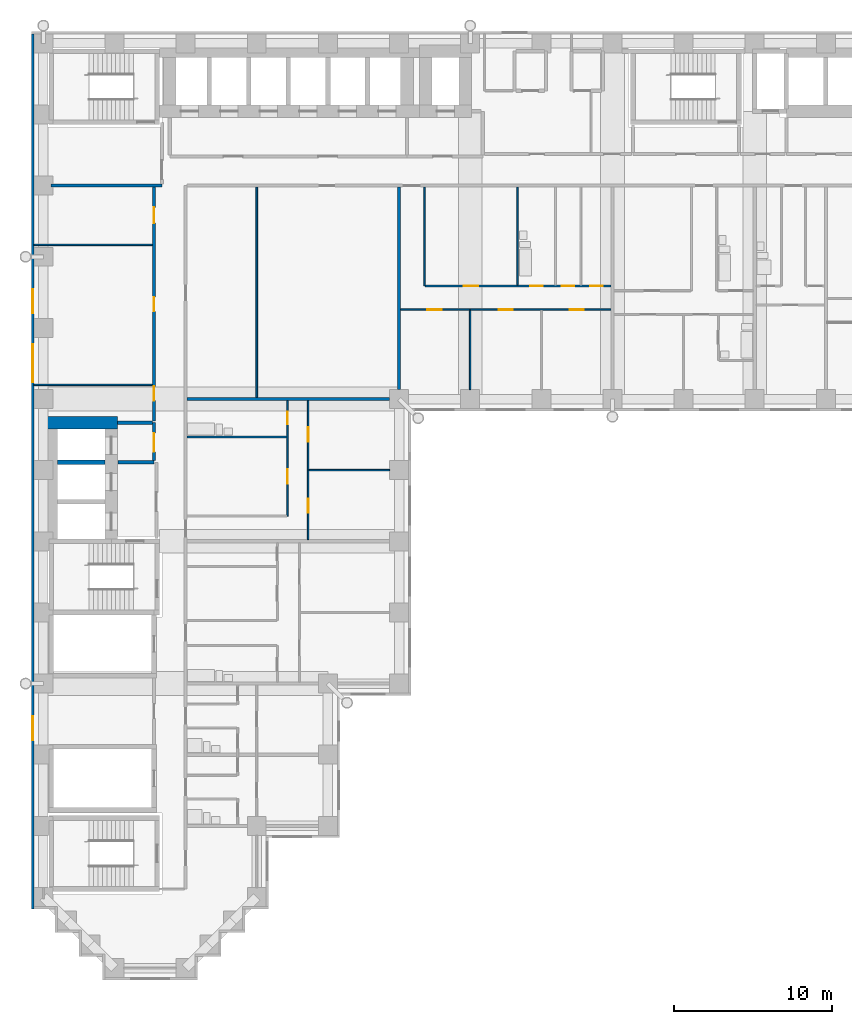
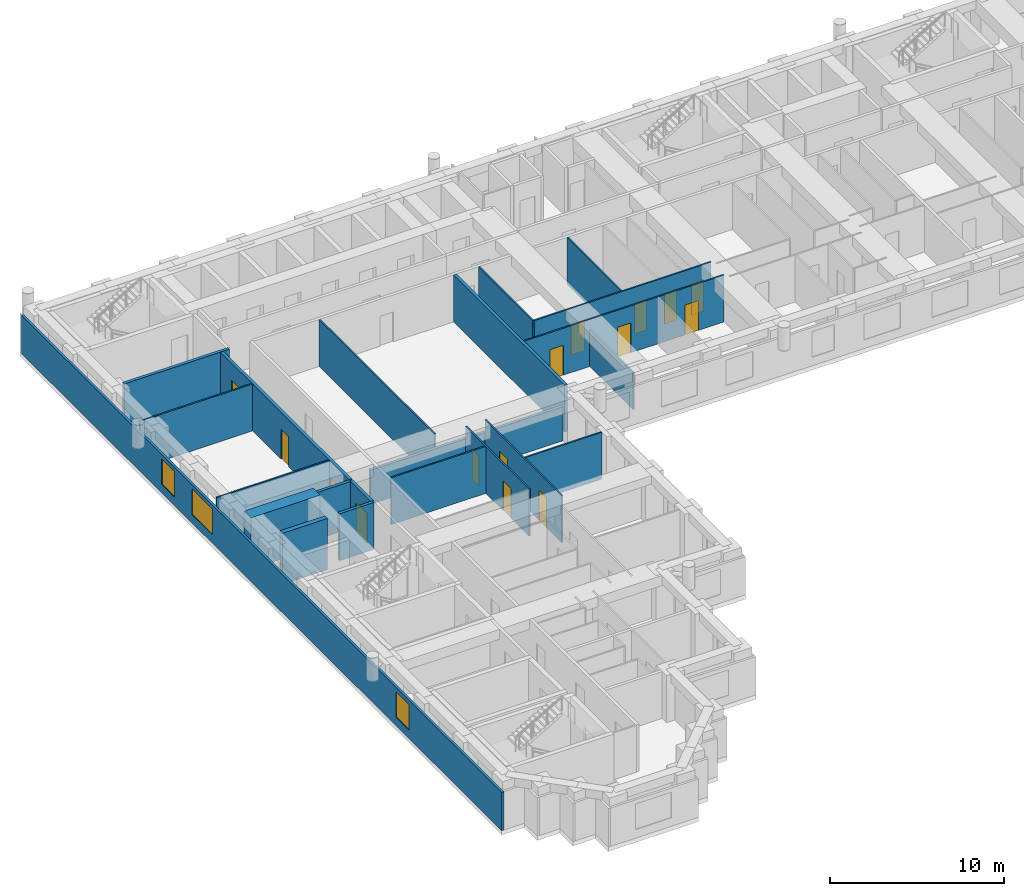
# One storey, part 6 of 14: 22 walls, 15 doors, 3 windows, 18 openings.
"""IFC4 building model written with IfcOpenShell, lengths in metres."""

from ifc_helpers import new_model, si_unit, direction, frame, frame_2d, origin, place, context, subcontext, project, spatial, rectangle, extrude, material, layer, layer_set, type_object, element, fill, save


model = new_model("IFC4")

# Units and contexts
model_context = context("Model", 3, precision=1e-05, world=origin(), true_north=direction((0.0, 1.0)))
body_context = subcontext(model_context, "Body", "Model", "MODEL_VIEW")
ifc_project = project(units=[si_unit("LENGTHUNIT", "METRE"), si_unit("AREAUNIT", "SQUARE_METRE"), si_unit("VOLUMEUNIT", "CUBIC_METRE"), si_unit("PLANEANGLEUNIT", "RADIAN"), si_unit("MASSUNIT", "GRAM", prefix="KILO")], contexts=[model_context])

# Site, building, storey
site_placement = place(None, origin())
site = spatial("IfcSite", under=ifc_project, at=site_placement, CompositionType="ELEMENT")
building_placement = place(site_placement, origin())
building = spatial("IfcBuilding", under=site, at=building_placement, Name="Firuza Court", CompositionType="ELEMENT")
storey_placement = place(building_placement, frame((0.0, 0.0, 68.60009765625)))
storey = spatial("IfcBuildingStorey", under=building, at=storey_placement, Name="L16", CompositionType="ELEMENT", Elevation=68.60009765625)

# Walls
ifc_material_1 = material(Name="Moisture-resistant gypsum board partition")
ifc_layer_1 = layer(ifc_material_1, 0.10009765625)
ifc_layer_set_1 = layer_set([ifc_layer_1], Name="Moisture-resistant gypsum board partition")
wall_type_1 = type_object("IfcWallType", Name="Bathroom partition 100", PredefinedType="PLUMBINGWALL", material=ifc_layer_set_1)
wall_1_placement = place(storey_placement, frame((9.10009765625, 33.60009765625, 0.0), z_axis=(0.0, 0.0, 1.0), x_axis=(1.0, 0.0, 0.0)))
element("IfcWall", 1, at=wall_1_placement, inside=storey, type_object=wall_type_1, Name="Bathroom partition 100 L16", PredefinedType="PLUMBINGWALL", context=body_context, shape_type="SweptSolid", body=[
    extrude(rectangle(XDim=6.2998046875, YDim=0.10009765625, at=frame_2d((3.14990234375, 0.0))), origin(), (0.0, 0.0, 1.0), 3.2998046875),
])
wall_2_placement = place(storey_placement, frame((30.0, 43.199951171875, 0.0), z_axis=(0.0, 0.0, 1.0), x_axis=(0.0, 1.0, 0.0)))
element("IfcWall", 2, at=wall_2_placement, inside=storey, type_object=wall_type_1, Name="Bathroom partition 100 L16", PredefinedType="PLUMBINGWALL", context=body_context, shape_type="SweptSolid", body=[
    extrude(rectangle(XDim=6.199951171875, YDim=0.10009765625, at=frame_2d((3.10009765625, 0.0))), origin(), (0.0, 0.0, 1.0), 3.2998046875),
])
ifc_material_2 = material(Name="Concrete C60/75", Category="concrete")
ifc_layer_2 = layer(ifc_material_2, 0.300048828125)
ifc_layer_set_2 = layer_set([ifc_layer_2], Name="Concrete C60/75")
wall_type_2 = type_object("IfcWallType", Name="Core wall 300 C60/75", PredefinedType="SHEAR", material=ifc_layer_set_2)
wall_3_placement = place(storey_placement, frame((0.89990234375, 32.0, -0.300048828125), z_axis=(0.0, 0.0, 1.0), x_axis=(1.0, 0.0, 0.0)))
element("IfcWall", 3, at=wall_3_placement, inside=storey, type_object=wall_type_2, Name="Core wall lift shaft L16", PredefinedType="SHEAR", context=body_context, shape_type="SweptSolid", body=[
    extrude(rectangle(XDim=3.0, YDim=0.300048828125, at=frame_2d((1.5, 0.0))), origin(), (0.0, 0.0, 1.0), 3.599853515625),
])
ifc_layer_3 = layer(ifc_material_2, 0.800048828125)
ifc_layer_set_3 = layer_set([ifc_layer_3], Name="Concrete C60/75")
wall_type_3 = type_object("IfcWallType", Name="Core wall 800 C60/75", PredefinedType="SHEAR", material=ifc_layer_set_3)
wall_4_placement = place(storey_placement, frame((0.10009765625, 34.5, -0.300048828125), z_axis=(0.0, 0.0, 1.0), x_axis=(1.0, 0.0, 0.0)))
element("IfcWall", 4, at=wall_4_placement, inside=storey, type_object=wall_type_3, Name="Core wall lift shaft L16", PredefinedType="SHEAR", context=body_context, shape_type="SweptSolid", body=[
    extrude(rectangle(XDim=4.599853515625, YDim=0.800048828125, at=frame_2d((2.2998046875, 0.0))), origin(), (0.0, 0.0, 1.0), 3.599853515625),
])

# Wall, openings, doors
ifc_material_3 = material(Name="Blockwork, plastered both sides", Category="masonry")
ifc_layer_4 = layer(ifc_material_3, 0.199951171875)
ifc_layer_set_4 = layer_set([ifc_layer_4], Name="Blockwork, plastered both sides")
wall_type_4 = type_object("IfcWallType", Name="Corridor wall 200", PredefinedType="PARTITIONING", material=ifc_layer_set_4)
wall_5_placement = place(storey_placement, frame((7.0, 34.60009765625, 0.0), z_axis=(0.0, 0.0, 1.0), x_axis=(0.0, 1.0, 0.0)))
wall_5 = element("IfcWall", 5, at=wall_5_placement, inside=storey, type_object=wall_type_4, Name="Corridor wall 200 L16", PredefinedType="PARTITIONING", context=body_context, shape_type="SweptSolid", body=[
    extrude(rectangle(XDim=14.7998046875, YDim=0.199951171875, at=frame_2d((7.39990234375, 0.0))), origin(), (0.0, 0.0, 1.0), 3.2998046875),
])
opening_1_placement = place(wall_5_placement, frame((1.300048828125, 0.0, 0.0)))
opening_1 = element("IfcOpeningElement", 6, at=opening_1_placement, cuts=wall_5, Name="Opening D16041", PredefinedType="OPENING", context=body_context, shape_type="SweptSolid", body=[
    extrude(rectangle(XDim=0.89990234375, YDim=2.10009765625, at=frame_2d((0.449951171875, 1.050048828125))), frame((0.0, 0.11181640625, 0.0), z_axis=(0.0, -1.0, 0.0), x_axis=(1.0, 0.0, 0.0)), (0.0, 0.0, 1.0), 0.223876953125),
])
opening_2_placement = place(wall_5_placement, frame((6.949951171875, 0.0, 0.0)))
opening_2 = element("IfcOpeningElement", 7, at=opening_2_placement, cuts=wall_5, Name="Opening D16042", PredefinedType="OPENING", context=body_context, shape_type="SweptSolid", body=[
    extrude(rectangle(XDim=0.89990234375, YDim=2.10009765625, at=frame_2d((0.449951171875, 1.050048828125))), frame((0.0, 0.11181640625, 0.0), z_axis=(0.0, -1.0, 0.0), x_axis=(1.0, 0.0, 0.0)), (0.0, 0.0, 1.0), 0.223876953125),
])
opening_3_placement = place(wall_5_placement, frame((12.52490234375, 0.0, 0.0)))
opening_3 = element("IfcOpeningElement", 8, at=opening_3_placement, cuts=wall_5, Name="Opening D16043", PredefinedType="OPENING", context=body_context, shape_type="SweptSolid", body=[
    extrude(rectangle(XDim=1.0, YDim=2.10009765625, at=frame_2d((0.5, 1.050048828125))), frame((0.0, 0.11181640625, 0.0), z_axis=(0.0, -1.0, 0.0), x_axis=(1.0, 0.0, 0.0)), (0.0, 0.0, 1.0), 0.223876953125),
])
ifc_material_4 = material(Name="Timber door leaf in hardwood frame", Category="wood")
door_type_1 = type_object("IfcDoorType", Name="Room door 900 EI 30", OperationType="SINGLE_SWING_LEFT", PredefinedType="DOOR", material=ifc_material_4)
door_1_placement = place(opening_1_placement, origin())
door_1 = element("IfcDoor", 9, at=door_1_placement, inside=storey, type_object=door_type_1, Name="Meeting room door", OperationType="SINGLE_SWING_LEFT", OverallHeight=2.10009765625, OverallWidth=0.89990234375, PredefinedType="DOOR", context=body_context, shape_type="SweptSolid", body=[
    extrude(rectangle(XDim=0.89990234375, YDim=2.10009765625, at=frame_2d((0.449951171875, 1.050048828125))), frame((0.0, 0.02490234375, 0.0), z_axis=(0.0, -1.0, 0.0), x_axis=(1.0, 0.0, 0.0)), (0.0, 0.0, 1.0), 0.050048828125),
])
fill(opening_1, door_1)
door_2_placement = place(opening_2_placement, origin())
door_2 = element("IfcDoor", 10, at=door_2_placement, inside=storey, type_object=door_type_1, Name="Meeting room door", OperationType="SINGLE_SWING_LEFT", OverallHeight=2.10009765625, OverallWidth=0.89990234375, PredefinedType="DOOR", context=body_context, shape_type="SweptSolid", body=[
    extrude(rectangle(XDim=0.89990234375, YDim=2.10009765625, at=frame_2d((0.449951171875, 1.050048828125))), frame((0.0, 0.02490234375, 0.0), z_axis=(0.0, -1.0, 0.0), x_axis=(1.0, 0.0, 0.0)), (0.0, 0.0, 1.0), 0.050048828125),
])
fill(opening_2, door_2)
ifc_material_5 = material(Name="Timber door leaf in hardwood frame", Category="wood")
door_type_2 = type_object("IfcDoorType", Name="Store door 1000", OperationType="SINGLE_SWING_LEFT", PredefinedType="DOOR", material=ifc_material_5)
door_3_placement = place(opening_3_placement, origin())
door_3 = element("IfcDoor", 11, at=door_3_placement, inside=storey, type_object=door_type_2, Name="Comms room door", OperationType="SINGLE_SWING_LEFT", OverallHeight=2.10009765625, OverallWidth=1.0, PredefinedType="DOOR", context=body_context, shape_type="SweptSolid", body=[
    extrude(rectangle(XDim=1.0, YDim=2.10009765625, at=frame_2d((0.5, 1.050048828125))), frame((0.0, 0.02490234375, 0.0), z_axis=(0.0, -1.0, 0.0), x_axis=(1.0, 0.0, 0.0)), (0.0, 0.0, 1.0), 0.050048828125),
])
fill(opening_3, door_3)

ifc_material_6 = material(Name="Timber stud partition, plasterboard both sides", Category="wood")
ifc_layer_5 = layer(ifc_material_6, 0.10009765625)
ifc_layer_set_5 = layer_set([ifc_layer_5], Name="Timber stud partition, plasterboard both sides")
wall_type_5 = type_object("IfcWallType", Name="Partition wall 100", PredefinedType="PARTITIONING", material=ifc_layer_set_5)
wall_6_placement = place(storey_placement, frame((16.75, 27.10009765625, 0.0), z_axis=(0.0, 0.0, 1.0), x_axis=(0.0, 1.0, 0.0)))
wall_6 = element("IfcWall", 12, at=wall_6_placement, inside=storey, type_object=wall_type_5, Name="Partition wall 100 L16", PredefinedType="PARTITIONING", context=body_context, shape_type="SweptSolid", body=[
    extrude(rectangle(XDim=8.7998046875, YDim=0.10009765625, at=frame_2d((4.39990234375, 0.0))), origin(), (0.0, 0.0, 1.0), 3.2998046875),
])
opening_4_placement = place(wall_6_placement, frame((1.699951171875, 0.0, 0.0)))
opening_4 = element("IfcOpeningElement", 13, at=opening_4_placement, cuts=wall_6, Name="Opening D16037", PredefinedType="OPENING", context=body_context, shape_type="SweptSolid", body=[
    extrude(rectangle(XDim=0.89990234375, YDim=2.10009765625, at=frame_2d((0.449951171875, 1.050048828125))), frame((0.0, 0.06201171875, 0.0), z_axis=(0.0, -1.0, 0.0), x_axis=(1.0, 0.0, 0.0)), (0.0, 0.0, 1.0), 0.1240234375),
])
opening_5_placement = place(wall_6_placement, frame((6.199951171875, 0.0, 0.0)))
opening_5 = element("IfcOpeningElement", 14, at=opening_5_placement, cuts=wall_6, Name="Opening D16038", PredefinedType="OPENING", context=body_context, shape_type="SweptSolid", body=[
    extrude(rectangle(XDim=0.89990234375, YDim=2.10009765625, at=frame_2d((0.449951171875, 1.050048828125))), frame((0.0, 0.06201171875, 0.0), z_axis=(0.0, -1.0, 0.0), x_axis=(1.0, 0.0, 0.0)), (0.0, 0.0, 1.0), 0.1240234375),
])
ifc_material_7 = material(Name="Timber door leaf in hardwood frame", Category="wood")
door_type_3 = type_object("IfcDoorType", Name="Room door 900", OperationType="SINGLE_SWING_LEFT", PredefinedType="DOOR", material=ifc_material_7)
door_4_placement = place(opening_4_placement, frame((0.89990234375, 0.0, 0.0), z_axis=(0.0, 0.0, 1.0), x_axis=(-1.0, 0.0, 0.0)))
door_4 = element("IfcDoor", 15, at=door_4_placement, inside=storey, type_object=door_type_3, Name="Bedroom door", OperationType="SINGLE_SWING_RIGHT", OverallHeight=2.10009765625, OverallWidth=0.89990234375, PredefinedType="DOOR", context=body_context, shape_type="SweptSolid", body=[
    extrude(rectangle(XDim=0.89990234375, YDim=2.10009765625, at=frame_2d((0.449951171875, 1.050048828125))), frame((0.0, 0.02490234375, 0.0), z_axis=(0.0, -1.0, 0.0), x_axis=(1.0, 0.0, 0.0)), (0.0, 0.0, 1.0), 0.050048828125),
])
fill(opening_4, door_4)
door_5_placement = place(opening_5_placement, frame((0.89990234375, 0.0, 0.0), z_axis=(0.0, 0.0, 1.0), x_axis=(-1.0, 0.0, 0.0)))
door_5 = element("IfcDoor", 16, at=door_5_placement, inside=storey, type_object=door_type_3, Name="Living room door", OperationType="SINGLE_SWING_RIGHT", OverallHeight=2.10009765625, OverallWidth=0.89990234375, PredefinedType="DOOR", context=body_context, shape_type="SweptSolid", body=[
    extrude(rectangle(XDim=0.89990234375, YDim=2.10009765625, at=frame_2d((0.449951171875, 1.050048828125))), frame((0.0, 0.02490234375, 0.0), z_axis=(0.0, -1.0, 0.0), x_axis=(1.0, 0.0, 0.0)), (0.0, 0.0, 1.0), 0.050048828125),
])
fill(opening_5, door_5)

wall_7_placement = place(storey_placement, frame((15.449951171875, 28.60009765625, 0.0), z_axis=(0.0, 0.0, 1.0), x_axis=(0.0, 1.0, 0.0)))
wall_7 = element("IfcWall", 17, at=wall_7_placement, inside=storey, type_object=wall_type_5, Name="Partition wall 100 L16", PredefinedType="PARTITIONING", context=body_context, shape_type="SweptSolid", body=[
    extrude(rectangle(XDim=7.2998046875, YDim=0.10009765625, at=frame_2d((3.64990234375, 0.0))), origin(), (0.0, 0.0, 1.0), 3.2998046875),
])
opening_6_placement = place(wall_7_placement, frame((5.800048828125, 0.0, 0.0)))
opening_6 = element("IfcOpeningElement", 18, at=opening_6_placement, cuts=wall_7, Name="Opening D16039", PredefinedType="OPENING", context=body_context, shape_type="SweptSolid", body=[
    extrude(rectangle(XDim=0.800048828125, YDim=2.10009765625, at=frame_2d((0.39990234375, 1.050048828125))), frame((0.0, 0.06201171875, 0.0), z_axis=(0.0, -1.0, 0.0), x_axis=(1.0, 0.0, 0.0)), (0.0, 0.0, 1.0), 0.1240234375),
])
opening_7_placement = place(wall_7_placement, frame((2.050048828125, 0.0, 0.0)))
opening_7 = element("IfcOpeningElement", 19, at=opening_7_placement, cuts=wall_7, Name="Opening D16040", PredefinedType="OPENING", context=body_context, shape_type="SweptSolid", body=[
    extrude(rectangle(XDim=0.89990234375, YDim=2.10009765625, at=frame_2d((0.449951171875, 1.050048828125))), frame((0.0, 0.06201171875, 0.0), z_axis=(0.0, -1.0, 0.0), x_axis=(1.0, 0.0, 0.0)), (0.0, 0.0, 1.0), 0.1240234375),
])
ifc_material_8 = material(Name="Timber door leaf in hardwood frame", Category="wood")
door_type_4 = type_object("IfcDoorType", Name="Bathroom door 800", OperationType="SINGLE_SWING_LEFT", PredefinedType="DOOR", material=ifc_material_8)
door_6_placement = place(opening_6_placement, origin())
door_6 = element("IfcDoor", 20, at=door_6_placement, inside=storey, type_object=door_type_4, Name="Bathroom door", OperationType="SINGLE_SWING_LEFT", OverallHeight=2.10009765625, OverallWidth=0.800048828125, PredefinedType="DOOR", context=body_context, shape_type="SweptSolid", body=[
    extrude(rectangle(XDim=0.800048828125, YDim=2.10009765625, at=frame_2d((0.39990234375, 1.050048828125))), frame((0.0, 0.02490234375, 0.0), z_axis=(0.0, -1.0, 0.0), x_axis=(1.0, 0.0, 0.0)), (0.0, 0.0, 1.0), 0.050048828125),
])
fill(opening_6, door_6)
door_7_placement = place(opening_7_placement, origin())
door_7 = element("IfcDoor", 21, at=door_7_placement, inside=storey, type_object=door_type_3, Name="Kitchen door", OperationType="SINGLE_SWING_LEFT", OverallHeight=2.10009765625, OverallWidth=0.89990234375, PredefinedType="DOOR", context=body_context, shape_type="SweptSolid", body=[
    extrude(rectangle(XDim=0.89990234375, YDim=2.10009765625, at=frame_2d((0.449951171875, 1.050048828125))), frame((0.0, 0.02490234375, 0.0), z_axis=(0.0, -1.0, 0.0), x_axis=(1.0, 0.0, 0.0)), (0.0, 0.0, 1.0), 0.050048828125),
])
fill(opening_7, door_7)

# Walls
wall_8_placement = place(storey_placement, frame((16.800048828125, 31.5, 0.0), z_axis=(0.0, 0.0, 1.0), x_axis=(1.0, 0.0, 0.0)))
element("IfcWall", 22, at=wall_8_placement, inside=storey, type_object=wall_type_5, Name="Partition wall 100 L16", PredefinedType="PARTITIONING", context=body_context, shape_type="SweptSolid", body=[
    extrude(rectangle(XDim=5.099853515625, YDim=0.10009765625, at=frame_2d((2.5498046875, 0.0))), origin(), (0.0, 0.0, 1.0), 3.2998046875),
])
wall_9_placement = place(storey_placement, frame((13.5, 36.10009765625, 0.0), z_axis=(0.0, 0.0, 1.0), x_axis=(0.0, 1.0, 0.0)))
element("IfcWall", 23, at=wall_9_placement, inside=storey, type_object=wall_type_5, Name="Partition wall 100 L16", PredefinedType="PARTITIONING", context=body_context, shape_type="SweptSolid", body=[
    extrude(rectangle(XDim=13.2998046875, YDim=0.10009765625, at=frame_2d((6.64990234375, 0.0))), origin(), (0.0, 0.0, 1.0), 3.2998046875),
])
wall_10_placement = place(storey_placement, frame((27.0, 36.60009765625, 0.0), z_axis=(0.0, 0.0, 1.0), x_axis=(0.0, 1.0, 0.0)))
element("IfcWall", 24, at=wall_10_placement, inside=storey, type_object=wall_type_5, Name="Partition wall 100 L16", PredefinedType="PARTITIONING", context=body_context, shape_type="SweptSolid", body=[
    extrude(rectangle(XDim=5.0, YDim=0.10009765625, at=frame_2d((2.5, 0.0))), origin(), (0.0, 0.0, 1.0), 2.599853515625),
])
wall_11_placement = place(storey_placement, frame((-0.60009765625, 36.89990234375, 0.0), z_axis=(0.0, 0.0, 1.0), x_axis=(1.0, 0.0, 0.0)))
element("IfcWall", 25, at=wall_11_placement, inside=storey, type_object=wall_type_5, Name="Partition wall 100 L16", PredefinedType="PARTITIONING", context=body_context, shape_type="SweptSolid", body=[
    extrude(rectangle(XDim=7.5, YDim=0.10009765625, at=frame_2d((3.75, 0.0))), origin(), (0.0, 0.0, 1.0), 3.2998046875),
])

# Wall, openings, doors
wall_12_placement = place(storey_placement, frame((22.60009765625, 41.64990234375, 0.0), z_axis=(0.0, 0.0, 1.0), x_axis=(1.0, 0.0, 0.0)))
wall_12 = element("IfcWall", 26, at=wall_12_placement, inside=storey, type_object=wall_type_5, Name="Partition wall 100 L16", PredefinedType="PARTITIONING", context=body_context, shape_type="SweptSolid", body=[
    extrude(rectangle(XDim=13.2998046875, YDim=0.10009765625, at=frame_2d((6.64990234375, 0.0))), origin(), (0.0, 0.0, 1.0), 3.2998046875),
])
opening_8_placement = place(wall_12_placement, frame((1.699951171875, 0.0, 0.0)))
opening_8 = element("IfcOpeningElement", 27, at=opening_8_placement, cuts=wall_12, Name="Opening D16053", PredefinedType="OPENING", context=body_context, shape_type="SweptSolid", body=[
    extrude(rectangle(XDim=0.89990234375, YDim=2.10009765625, at=frame_2d((0.449951171875, 1.050048828125))), frame((0.0, 0.06201171875, 0.0), z_axis=(0.0, -1.0, 0.0), x_axis=(1.0, 0.0, 0.0)), (0.0, 0.0, 1.0), 0.1240234375),
])
opening_9_placement = place(wall_12_placement, frame((6.199951171875, 0.0, 0.0)))
opening_9 = element("IfcOpeningElement", 28, at=opening_9_placement, cuts=wall_12, Name="Opening D16054", PredefinedType="OPENING", context=body_context, shape_type="SweptSolid", body=[
    extrude(rectangle(XDim=0.89990234375, YDim=2.10009765625, at=frame_2d((0.449951171875, 1.050048828125))), frame((0.0, 0.06201171875, 0.0), z_axis=(0.0, -1.0, 0.0), x_axis=(1.0, 0.0, 0.0)), (0.0, 0.0, 1.0), 0.1240234375),
])
opening_10_placement = place(wall_12_placement, frame((10.699951171875, 0.0, 0.0)))
opening_10 = element("IfcOpeningElement", 29, at=opening_10_placement, cuts=wall_12, Name="Opening D16055", PredefinedType="OPENING", context=body_context, shape_type="SweptSolid", body=[
    extrude(rectangle(XDim=0.89990234375, YDim=2.10009765625, at=frame_2d((0.449951171875, 1.050048828125))), frame((0.0, 0.06201171875, 0.0), z_axis=(0.0, -1.0, 0.0), x_axis=(1.0, 0.0, 0.0)), (0.0, 0.0, 1.0), 0.1240234375),
])
door_8_placement = place(opening_8_placement, frame((0.89990234375, 0.0, 0.0), z_axis=(0.0, 0.0, 1.0), x_axis=(-1.0, 0.0, 0.0)))
door_8 = element("IfcDoor", 30, at=door_8_placement, inside=storey, type_object=door_type_3, Name="Living room door", OperationType="SINGLE_SWING_RIGHT", OverallHeight=2.10009765625, OverallWidth=0.89990234375, PredefinedType="DOOR", context=body_context, shape_type="SweptSolid", body=[
    extrude(rectangle(XDim=0.89990234375, YDim=2.10009765625, at=frame_2d((0.449951171875, 1.050048828125))), frame((0.0, 0.02490234375, 0.0), z_axis=(0.0, -1.0, 0.0), x_axis=(1.0, 0.0, 0.0)), (0.0, 0.0, 1.0), 0.050048828125),
])
fill(opening_8, door_8)
door_9_placement = place(opening_9_placement, frame((0.89990234375, 0.0, 0.0), z_axis=(0.0, 0.0, 1.0), x_axis=(-1.0, 0.0, 0.0)))
door_9 = element("IfcDoor", 31, at=door_9_placement, inside=storey, type_object=door_type_3, Name="Bedroom door", OperationType="SINGLE_SWING_RIGHT", OverallHeight=2.10009765625, OverallWidth=0.89990234375, PredefinedType="DOOR", context=body_context, shape_type="SweptSolid", body=[
    extrude(rectangle(XDim=0.89990234375, YDim=2.10009765625, at=frame_2d((0.449951171875, 1.050048828125))), frame((0.0, 0.02490234375, 0.0), z_axis=(0.0, -1.0, 0.0), x_axis=(1.0, 0.0, 0.0)), (0.0, 0.0, 1.0), 0.050048828125),
])
fill(opening_9, door_9)
door_10_placement = place(opening_10_placement, frame((0.89990234375, 0.0, 0.0), z_axis=(0.0, 0.0, 1.0), x_axis=(-1.0, 0.0, 0.0)))
door_10 = element("IfcDoor", 32, at=door_10_placement, inside=storey, type_object=door_type_3, Name="Bedroom door", OperationType="SINGLE_SWING_RIGHT", OverallHeight=2.10009765625, OverallWidth=0.89990234375, PredefinedType="DOOR", context=body_context, shape_type="SweptSolid", body=[
    extrude(rectangle(XDim=0.89990234375, YDim=2.10009765625, at=frame_2d((0.449951171875, 1.050048828125))), frame((0.0, 0.02490234375, 0.0), z_axis=(0.0, -1.0, 0.0), x_axis=(1.0, 0.0, 0.0)), (0.0, 0.0, 1.0), 0.050048828125),
])
fill(opening_10, door_10)

# Wall
wall_13_placement = place(storey_placement, frame((24.10009765625, 43.14990234375, 0.0), z_axis=(0.0, 0.0, 1.0), x_axis=(0.0, 1.0, 0.0)))
element("IfcWall", 33, at=wall_13_placement, inside=storey, type_object=wall_type_5, Name="Partition wall 100 L16", PredefinedType="PARTITIONING", context=body_context, shape_type="SweptSolid", body=[
    extrude(rectangle(XDim=6.25, YDim=0.10009765625, at=frame_2d((3.125, 0.0))), origin(), (0.0, 0.0, 1.0), 3.2998046875),
])

# Wall, openings, doors
wall_14_placement = place(storey_placement, frame((24.14990234375, 43.14990234375, 0.0), z_axis=(0.0, 0.0, 1.0), x_axis=(1.0, 0.0, 0.0)))
wall_14 = element("IfcWall", 34, at=wall_14_placement, inside=storey, type_object=wall_type_5, Name="Partition wall 100 L16", PredefinedType="PARTITIONING", context=body_context, shape_type="SweptSolid", body=[
    extrude(rectangle(XDim=11.75, YDim=0.10009765625, at=frame_2d((5.875, 0.0))), origin(), (0.0, 0.0, 1.0), 3.2998046875),
])
opening_11_placement = place(wall_14_placement, frame((6.64990234375, 0.0, 0.0)))
opening_11 = element("IfcOpeningElement", 35, at=opening_11_placement, cuts=wall_14, Name="Opening D16061", PredefinedType="OPENING", context=body_context, shape_type="SweptSolid", body=[
    extrude(rectangle(XDim=0.800048828125, YDim=2.10009765625, at=frame_2d((0.39990234375, 1.050048828125))), frame((0.0, 0.06201171875, 0.0), z_axis=(0.0, -1.0, 0.0), x_axis=(1.0, 0.0, 0.0)), (0.0, 0.0, 1.0), 0.1240234375),
])
opening_12_placement = place(wall_14_placement, frame((2.449951171875, 0.0, 0.0)))
opening_12 = element("IfcOpeningElement", 36, at=opening_12_placement, cuts=wall_14, Name="Opening D16062", PredefinedType="OPENING", context=body_context, shape_type="SweptSolid", body=[
    extrude(rectangle(XDim=0.89990234375, YDim=2.10009765625, at=frame_2d((0.449951171875, 1.050048828125))), frame((0.0, 0.06201171875, 0.0), z_axis=(0.0, -1.0, 0.0), x_axis=(1.0, 0.0, 0.0)), (0.0, 0.0, 1.0), 0.1240234375),
])
opening_13_placement = place(wall_14_placement, frame((8.64990234375, 0.0, 0.0)))
opening_13 = element("IfcOpeningElement", 37, at=opening_13_placement, cuts=wall_14, Name="Opening D16063", PredefinedType="OPENING", context=body_context, shape_type="SweptSolid", body=[
    extrude(rectangle(XDim=0.800048828125, YDim=2.10009765625, at=frame_2d((0.39990234375, 1.050048828125))), frame((0.0, 0.06201171875, 0.0), z_axis=(0.0, -1.0, 0.0), x_axis=(1.0, 0.0, 0.0)), (0.0, 0.0, 1.0), 0.1240234375),
])
opening_14_placement = place(wall_14_placement, frame((10.449951171875, 0.0, 0.0)))
opening_14 = element("IfcOpeningElement", 38, at=opening_14_placement, cuts=wall_14, Name="Opening D16064", PredefinedType="OPENING", context=body_context, shape_type="SweptSolid", body=[
    extrude(rectangle(XDim=0.800048828125, YDim=2.10009765625, at=frame_2d((0.39990234375, 1.050048828125))), frame((0.0, 0.06201171875, 0.0), z_axis=(0.0, -1.0, 0.0), x_axis=(1.0, 0.0, 0.0)), (0.0, 0.0, 1.0), 0.1240234375),
])
door_11_placement = place(opening_11_placement, origin())
door_11 = element("IfcDoor", 39, at=door_11_placement, inside=storey, type_object=door_type_4, Name="Bathroom door", OperationType="SINGLE_SWING_LEFT", OverallHeight=2.10009765625, OverallWidth=0.800048828125, PredefinedType="DOOR", context=body_context, shape_type="SweptSolid", body=[
    extrude(rectangle(XDim=0.800048828125, YDim=2.10009765625, at=frame_2d((0.39990234375, 1.050048828125))), frame((0.0, 0.02490234375, 0.0), z_axis=(0.0, -1.0, 0.0), x_axis=(1.0, 0.0, 0.0)), (0.0, 0.0, 1.0), 0.050048828125),
])
fill(opening_11, door_11)
ifc_material_9 = material(Name="Timber door leaf in hardwood frame", Category="wood")
door_type_5 = type_object("IfcDoorType", Name="Room door 800", OperationType="SINGLE_SWING_LEFT", PredefinedType="DOOR", material=ifc_material_9)
door_12_placement = place(opening_13_placement, origin())
door_12 = element("IfcDoor", 40, at=door_12_placement, inside=storey, type_object=door_type_5, Name="Store door", OperationType="SINGLE_SWING_LEFT", OverallHeight=2.10009765625, OverallWidth=0.800048828125, PredefinedType="DOOR", context=body_context, shape_type="SweptSolid", body=[
    extrude(rectangle(XDim=0.800048828125, YDim=2.10009765625, at=frame_2d((0.39990234375, 1.050048828125))), frame((0.0, 0.02490234375, 0.0), z_axis=(0.0, -1.0, 0.0), x_axis=(1.0, 0.0, 0.0)), (0.0, 0.0, 1.0), 0.050048828125),
])
fill(opening_13, door_12)
door_13_placement = place(opening_14_placement, origin())
door_13 = element("IfcDoor", 41, at=door_13_placement, inside=storey, type_object=door_type_5, Name="Utility room door", OperationType="SINGLE_SWING_LEFT", OverallHeight=2.10009765625, OverallWidth=0.800048828125, PredefinedType="DOOR", context=body_context, shape_type="SweptSolid", body=[
    extrude(rectangle(XDim=0.800048828125, YDim=2.10009765625, at=frame_2d((0.39990234375, 1.050048828125))), frame((0.0, 0.02490234375, 0.0), z_axis=(0.0, -1.0, 0.0), x_axis=(1.0, 0.0, 0.0)), (0.0, 0.0, 1.0), 0.050048828125),
])
fill(opening_14, door_13)
door_14_placement = place(opening_12_placement, origin())
door_14 = element("IfcDoor", 42, at=door_14_placement, inside=storey, type_object=door_type_3, Name="Kitchen door", OperationType="SINGLE_SWING_LEFT", OverallHeight=2.10009765625, OverallWidth=0.89990234375, PredefinedType="DOOR", context=body_context, shape_type="SweptSolid", body=[
    extrude(rectangle(XDim=0.89990234375, YDim=2.10009765625, at=frame_2d((0.449951171875, 1.050048828125))), frame((0.0, 0.02490234375, 0.0), z_axis=(0.0, -1.0, 0.0), x_axis=(1.0, 0.0, 0.0)), (0.0, 0.0, 1.0), 0.050048828125),
])
fill(opening_12, door_14)

# Walls
wall_15_placement = place(storey_placement, frame((-0.60009765625, 45.75, 0.0), z_axis=(0.0, 0.0, 1.0), x_axis=(1.0, 0.0, 0.0)))
element("IfcWall", 43, at=wall_15_placement, inside=storey, type_object=wall_type_5, Name="Partition wall 100 L16", PredefinedType="PARTITIONING", context=body_context, shape_type="SweptSolid", body=[
    extrude(rectangle(XDim=7.5, YDim=0.10009765625, at=frame_2d((3.75, 0.0))), origin(), (0.0, 0.0, 1.0), 3.2998046875),
])
ifc_layer_6 = layer(ifc_material_3, 0.199951171875)
ifc_layer_set_6 = layer_set([ifc_layer_6], Name="Blockwork, plastered both sides")
wall_type_6 = type_object("IfcWallType", Name="Party wall 200", PredefinedType="PARTITIONING", material=ifc_layer_set_6)
wall_16_placement = place(storey_placement, frame((9.10009765625, 36.0, 0.0), z_axis=(0.0, 0.0, 1.0), x_axis=(1.0, 0.0, 0.0)))
element("IfcWall", 44, at=wall_16_placement, inside=storey, type_object=wall_type_6, Name="Party wall 200 L16", PredefinedType="PARTITIONING", context=body_context, shape_type="SweptSolid", body=[
    extrude(rectangle(XDim=12.7998046875, YDim=0.199951171875, at=frame_2d((6.39990234375, 0.0))), origin(), (0.0, 0.0, 1.0), 2.39990234375),
])
wall_17_placement = place(storey_placement, frame((22.5, 36.60009765625, 0.0), z_axis=(0.0, 0.0, 1.0), x_axis=(0.0, 1.0, 0.0)))
element("IfcWall", 45, at=wall_17_placement, inside=storey, type_object=wall_type_6, Name="Party wall 200 L16", PredefinedType="PARTITIONING", context=body_context, shape_type="SweptSolid", body=[
    extrude(rectangle(XDim=12.7998046875, YDim=0.199951171875, at=frame_2d((6.39990234375, 0.0))), origin(), (0.0, 0.0, 1.0), 3.2998046875),
])

# Wall, openings, windows
ifc_material_10 = material(Name="Ceramic tile", Category="ceramic")
ifc_layer_7 = layer(ifc_material_10, 0.02001953125)
ifc_material_11 = material(Name="Mineral wool insulation", Category="insulation")
ifc_layer_8 = layer(ifc_material_11, 0.050048828125)
ifc_material_12 = material(Name="Concrete C40/50 precast", Category="concrete")
ifc_layer_9 = layer(ifc_material_12, 0.080078125)
ifc_layer_set_7 = layer_set([ifc_layer_7, ifc_layer_8, ifc_layer_9], Name="Concrete C40/50 precast")
wall_type_7 = type_object("IfcWallType", Name="Precast cladding wall with turquoise TILE PANEL face 150", PredefinedType="STANDARD", material=ifc_layer_set_7)
wall_18_placement = place(storey_placement, frame((-0.675048828125, 59.10009765625, 0.0), z_axis=(0.0, 0.0, 1.0), x_axis=(0.0, -1.0, 0.0)))
wall_18 = element("IfcWall", 46, at=wall_18_placement, inside=storey, type_object=wall_type_7, Name="Facade wall L16 W", PredefinedType="STANDARD", context=body_context, shape_type="SweptSolid", body=[
    extrude(rectangle(XDim=55.35009765625, YDim=0.14990234375, at=frame_2d((27.675048828125, 0.0))), origin(), (0.0, 0.0, 1.0), 2.699951171875),
])
opening_15_placement = place(wall_18_placement, frame((16.17041015625, 0.0, 0.60009765625)))
opening_15 = element("IfcOpeningElement", 47, at=opening_15_placement, cuts=wall_18, Name="Opening W2", PredefinedType="OPENING", context=body_context, shape_type="SweptSolid", body=[
    extrude(rectangle(XDim=1.5, YDim=1.800048828125, at=frame_2d((0.75, 0.89990234375))), frame((0.0, 0.0869140625, 0.0), z_axis=(0.0, -1.0, 0.0), x_axis=(1.0, 0.0, 0.0)), (0.0, 0.0, 1.0), 0.173828125),
])
opening_16_placement = place(wall_18_placement, frame((19.64990234375, 0.0, 0.60009765625)))
opening_16 = element("IfcOpeningElement", 48, at=opening_16_placement, cuts=wall_18, Name="Opening W1", PredefinedType="OPENING", context=body_context, shape_type="SweptSolid", body=[
    extrude(rectangle(XDim=2.39990234375, YDim=1.800048828125, at=frame_2d((1.199951171875, 0.89990234375))), frame((0.0, 0.0869140625, 0.0), z_axis=(0.0, -1.0, 0.0), x_axis=(1.0, 0.0, 0.0)), (0.0, 0.0, 1.0), 0.173828125),
])
opening_17_placement = place(wall_18_placement, frame((43.17041015625, 0.0, 0.60009765625)))
opening_17 = element("IfcOpeningElement", 49, at=opening_17_placement, cuts=wall_18, Name="Opening W2", PredefinedType="OPENING", context=body_context, shape_type="SweptSolid", body=[
    extrude(rectangle(XDim=1.5, YDim=1.800048828125, at=frame_2d((0.75, 0.89990234375))), frame((0.0, 0.0869140625, 0.0), z_axis=(0.0, -1.0, 0.0), x_axis=(1.0, 0.0, 0.0)), (0.0, 0.0, 1.0), 0.173828125),
])
ifc_material_13 = material(Name="Aluminium frame, triple clear glazing", Category="aluminium")
window_type_1 = type_object("IfcWindowType", Name="Window W1 2400 x 1800", PartitioningType="SINGLE_PANEL", PredefinedType="WINDOW", material=ifc_material_13)
window_1_placement = place(opening_16_placement, origin())
window_1 = element("IfcWindow", 50, at=window_1_placement, inside=storey, type_object=window_type_1, Name="Window L16", OverallHeight=1.800048828125, OverallWidth=2.39990234375, PartitioningType="SINGLE_PANEL", PredefinedType="WINDOW", context=body_context, shape_type="SweptSolid", body=[
    extrude(rectangle(XDim=2.39990234375, YDim=1.800048828125, at=frame_2d((1.199951171875, 0.89990234375))), frame((0.0, 0.030029296875, 0.0), z_axis=(0.0, -1.0, 0.0), x_axis=(1.0, 0.0, 0.0)), (0.0, 0.0, 1.0), 0.06005859375),
])
fill(opening_16, window_1)
ifc_material_14 = material(Name="Aluminium frame, triple clear glazing", Category="aluminium")
window_type_2 = type_object("IfcWindowType", Name="Window W2 1500 x 1800", PartitioningType="SINGLE_PANEL", PredefinedType="WINDOW", material=ifc_material_14)
window_2_placement = place(opening_15_placement, origin())
window_2 = element("IfcWindow", 51, at=window_2_placement, inside=storey, type_object=window_type_2, Name="Window L16", OverallHeight=1.800048828125, OverallWidth=1.5, PartitioningType="SINGLE_PANEL", PredefinedType="WINDOW", context=body_context, shape_type="SweptSolid", body=[
    extrude(rectangle(XDim=1.5, YDim=1.800048828125, at=frame_2d((0.75, 0.89990234375))), frame((0.0, 0.030029296875, 0.0), z_axis=(0.0, -1.0, 0.0), x_axis=(1.0, 0.0, 0.0)), (0.0, 0.0, 1.0), 0.06005859375),
])
fill(opening_15, window_2)
window_3_placement = place(opening_17_placement, origin())
window_3 = element("IfcWindow", 52, at=window_3_placement, inside=storey, type_object=window_type_2, Name="Window L16", OverallHeight=1.800048828125, OverallWidth=1.5, PartitioningType="SINGLE_PANEL", PredefinedType="WINDOW", context=body_context, shape_type="SweptSolid", body=[
    extrude(rectangle(XDim=1.5, YDim=1.800048828125, at=frame_2d((0.75, 0.89990234375))), frame((0.0, 0.030029296875, 0.0), z_axis=(0.0, -1.0, 0.0), x_axis=(1.0, 0.0, 0.0)), (0.0, 0.0, 1.0), 0.06005859375),
])
fill(opening_17, window_3)

# Wall
ifc_material_15 = material(Name="Blockwork, fire-rated", Category="masonry")
ifc_layer_10 = layer(ifc_material_15, 0.199951171875)
ifc_layer_set_8 = layer_set([ifc_layer_10], Name="Blockwork, fire-rated")
wall_type_8 = type_object("IfcWallType", Name="Shaft wall 200", PredefinedType="PARTITIONING", material=ifc_layer_set_8)
wall_19_placement = place(storey_placement, frame((4.719970703125, 32.0, 0.0), z_axis=(0.0, 0.0, 1.0), x_axis=(1.0, 0.0, 0.0)))
element("IfcWall", 53, at=wall_19_placement, inside=storey, type_object=wall_type_8, Name="Shaft wall 200 L16", PredefinedType="PARTITIONING", context=body_context, shape_type="SweptSolid", body=[
    extrude(rectangle(XDim=2.280029296875, YDim=0.199951171875, at=frame_2d((1.14013671875, 0.0))), origin(), (0.0, 0.0, 1.0), 3.2998046875),
])

# Wall, opening, door
wall_20_placement = place(storey_placement, frame((7.0, 32.10009765625, 0.0), z_axis=(0.0, 0.0, 1.0), x_axis=(0.0, 1.0, 0.0)))
wall_20 = element("IfcWall", 54, at=wall_20_placement, inside=storey, type_object=wall_type_8, Name="Shaft wall 200 L16", PredefinedType="PARTITIONING", context=body_context, shape_type="SweptSolid", body=[
    extrude(rectangle(XDim=2.39990234375, YDim=0.199951171875, at=frame_2d((1.199951171875, 0.0))), origin(), (0.0, 0.0, 1.0), 3.2998046875),
])
opening_18_placement = place(wall_20_placement, frame((0.550048828125, 0.0, 0.0)))
opening_18 = element("IfcOpeningElement", 55, at=opening_18_placement, cuts=wall_20, Name="Opening D16008", PredefinedType="OPENING", context=body_context, shape_type="SweptSolid", body=[
    extrude(rectangle(XDim=1.199951171875, YDim=2.10009765625, at=frame_2d((0.60009765625, 1.050048828125))), frame((0.0, 0.11181640625, 0.0), z_axis=(0.0, -1.0, 0.0), x_axis=(1.0, 0.0, 0.0)), (0.0, 0.0, 1.0), 0.223876953125),
])
ifc_material_16 = material(Name="Timber door leaf in hardwood frame", Category="wood")
door_type_6 = type_object("IfcDoorType", Name="Lobby door 1200", OperationType="SINGLE_SWING_LEFT", PredefinedType="DOOR", material=ifc_material_16)
door_15_placement = place(opening_18_placement, origin())
door_15 = element("IfcDoor", 56, at=door_15_placement, inside=storey, type_object=door_type_6, Name="Lobby door", OperationType="SINGLE_SWING_LEFT", OverallHeight=2.10009765625, OverallWidth=1.199951171875, PredefinedType="DOOR", context=body_context, shape_type="SweptSolid", body=[
    extrude(rectangle(XDim=1.199951171875, YDim=2.10009765625, at=frame_2d((0.60009765625, 1.050048828125))), frame((0.0, 0.02490234375, 0.0), z_axis=(0.0, -1.0, 0.0), x_axis=(1.0, 0.0, 0.0)), (0.0, 0.0, 1.0), 0.050048828125),
])
fill(opening_18, door_15)

# Walls
wall_21_placement = place(storey_placement, frame((4.699951171875, 34.5, 0.0), z_axis=(0.0, 0.0, 1.0), x_axis=(1.0, 0.0, 0.0)))
element("IfcWall", 57, at=wall_21_placement, inside=storey, type_object=wall_type_8, Name="Shaft wall 200 L16", PredefinedType="PARTITIONING", context=body_context, shape_type="SweptSolid", body=[
    extrude(rectangle(XDim=2.199951171875, YDim=0.199951171875, at=frame_2d((1.10009765625, 0.0))), origin(), (0.0, 0.0, 1.0), 3.2998046875),
])
wall_22_placement = place(storey_placement, frame((0.5, 49.5, 0.0), z_axis=(0.0, 0.0, 1.0), x_axis=(1.0, 0.0, 0.0)))
element("IfcWall", 58, at=wall_22_placement, inside=storey, type_object=wall_type_8, Name="Shaft wall 200 L16", PredefinedType="PARTITIONING", context=body_context, shape_type="SweptSolid", body=[
    extrude(rectangle(XDim=7.0, YDim=0.199951171875, at=frame_2d((3.5, 0.0))), origin(), (0.0, 0.0, 1.0), 3.2998046875),
])

save(model, "model.ifc")
